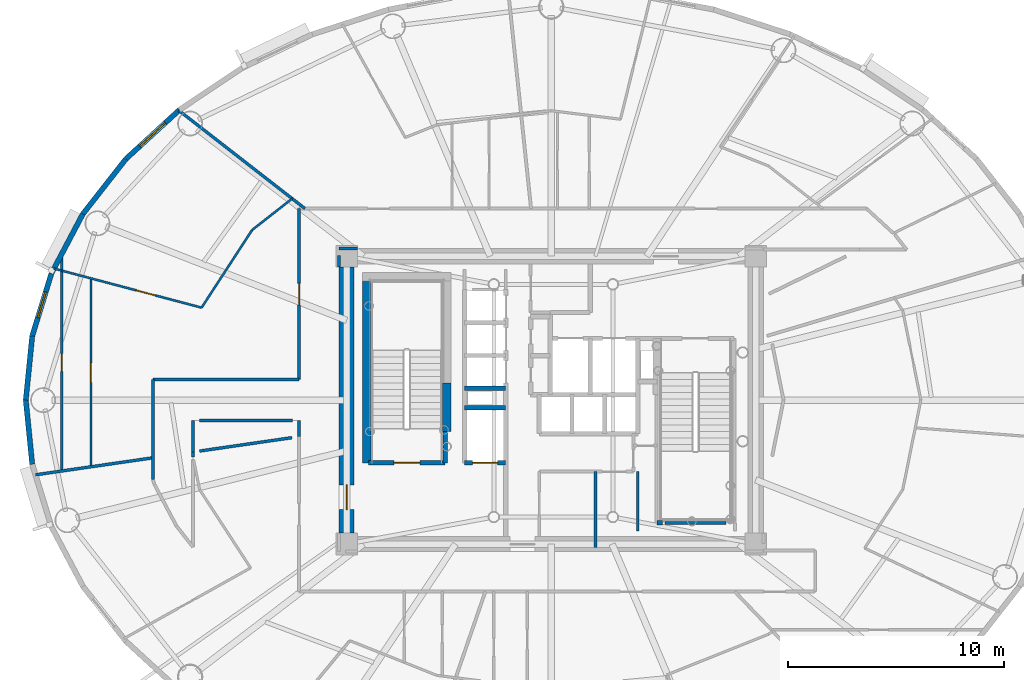
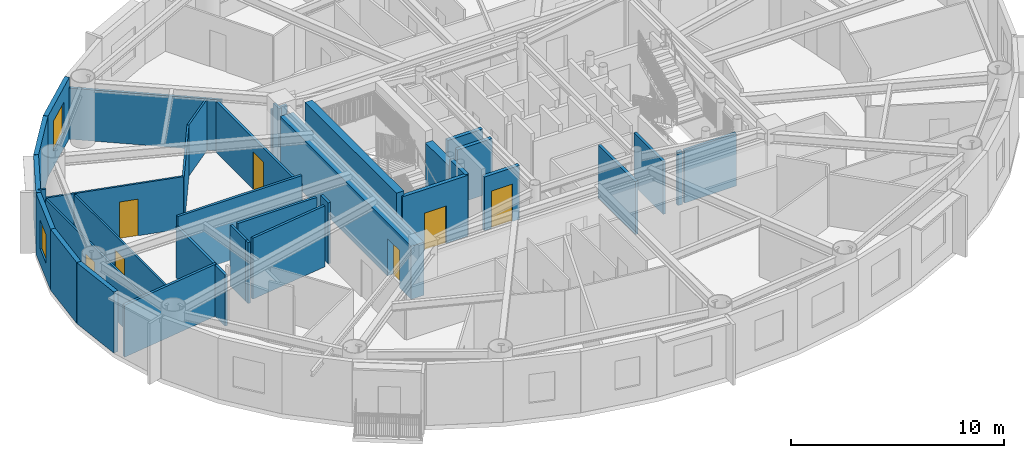
# One storey, part 8 of 19: 36 walls, 7 doors, 2 windows, 9 openings.
"""IFC4 building model written with IfcOpenShell, lengths in metres."""

from ifc_helpers import new_model, si_unit, direction, frame, frame_2d, origin, origin_2d, place, context, subcontext, project, spatial, rectangle, extrude, source, transform, mapped, material, layer, layer_set, type_object, element, fill, save


model = new_model("IFC4")

# Units and contexts
model_context = context("Model", 3, precision=1e-05, world=origin(), true_north=direction((0.0, 1.0)))
body_context = subcontext(model_context, "Body", "Model", "MODEL_VIEW")
ifc_project = project(units=[si_unit("LENGTHUNIT", "METRE"), si_unit("AREAUNIT", "SQUARE_METRE"), si_unit("VOLUMEUNIT", "CUBIC_METRE"), si_unit("PLANEANGLEUNIT", "RADIAN"), si_unit("MASSUNIT", "GRAM", prefix="KILO")], contexts=[model_context])

# Site, building, storey
site_placement = place(None, origin())
site = spatial("IfcSite", under=ifc_project, at=site_placement, CompositionType="ELEMENT")
building_placement = place(site_placement, origin())
building = spatial("IfcBuilding", under=site, at=building_placement, Name="Linh Dai School and Residence Tower", CompositionType="ELEMENT")
storey_placement = place(building_placement, frame((0.0, 0.0, 236.550048828125)))
storey = spatial("IfcBuildingStorey", under=building, at=storey_placement, Name="L58", CompositionType="ELEMENT", Elevation=236.550048828125)

# Wall, opening, window
ifc_material_1 = material(Name="Precast Concrete B45 (C35/45)", Category="concrete")
ifc_layer_1 = layer(ifc_material_1, 0.239990234375)
ifc_layer_set_1 = layer_set([ifc_layer_1], Name="Precast Concrete B45 (C35/45)")
wall_type_1 = type_object("IfcWallType", Name="EW-TC-240", PredefinedType="SOLIDWALL", material=ifc_layer_set_1)
wall_1_placement = place(storey_placement, frame((16.3515625, 38.14453125, 0.0), z_axis=(0.0, 0.0, 1.0), x_axis=(0.737123922599, 0.675757591694, 0.0)))
wall_1 = element("IfcWall", 1, at=wall_1_placement, inside=storey, type_object=wall_type_1, Name="L58 Terracotta Exterior Wall 16", PredefinedType="SOLIDWALL", context=body_context, shape_type="SweptSolid", body=[
    extrude(rectangle(XDim=3.353759765625, YDim=0.239990234375, at=frame_2d((1.6767578125, 0.0))), origin(), (0.0, 0.0, 1.0), 3.5),
])
opening_1_placement = place(wall_1_placement, frame((0.87255859375, 0.0, 0.89990234375)))
opening_1 = element("IfcOpeningElement", 2, at=opening_1_placement, cuts=wall_1, Name="Opening W2", PredefinedType="OPENING", context=body_context, shape_type="SweptSolid", body=[
    extrude(rectangle(XDim=1.60009765625, YDim=1.75, at=origin_2d()), frame((0.800048828125, 0.1298828125, 0.875), z_axis=(0.0, -1.0, 0.0), x_axis=(1.0, 0.0, 0.0)), (0.0, 0.0, 1.0), 0.260009765625),
])
ifc_material_2 = material(Name="Double Low-E Insulated Glazing", Category="glass")
window_type_1 = type_object("IfcWindowType", Name="WN-RES-1600x1750", PartitioningType="DOUBLE_PANEL_VERTICAL", PredefinedType="WINDOW", material=ifc_material_2)
shared_shape_1 = source(origin(), body_context, "Body", "SweptSolid", [
    extrude(rectangle(XDim=1.60009765625, YDim=1.75, at=origin_2d()), frame((0.800048828125, 0.030029296875, 0.875), z_axis=(0.0, -1.0, 0.0), x_axis=(1.0, 0.0, 0.0)), (0.0, 0.0, 1.0), 0.06005859375),
])
window_1_placement = place(opening_1_placement, origin())
window_1 = element("IfcWindow", 3, at=window_1_placement, inside=storey, type_object=window_type_1, Name="L58 Exterior Window 16.1", OverallHeight=1.75, OverallWidth=1.60009765625, PartitioningType="DOUBLE_PANEL_VERTICAL", PredefinedType="WINDOW", context=body_context, shape_type="MappedRepresentation", body=[
    mapped(shared_shape_1, transform((0.0, 0.0, 0.0), x_axis=(1.0, 0.0, 0.0), y_axis=(0.0, 1.0, 0.0), z_axis=(0.0, 0.0, 1.0), scale=1.0)),
])
fill(opening_1, window_1)

# Walls
wall_2_placement = place(storey_placement, frame((14.3642578125, 35.605224609375, 0.0), z_axis=(0.0, 0.0, 1.0), x_axis=(0.616312344705, 0.787501805562, 0.0)))
element("IfcWall", 4, at=wall_2_placement, inside=storey, type_object=wall_type_1, Name="L58 Terracotta Exterior Wall 17", PredefinedType="SOLIDWALL", context=body_context, shape_type="SweptSolid", body=[
    extrude(rectangle(XDim=3.224609375, YDim=0.239990234375, at=frame_2d((1.6123046875, 0.0))), origin(), (0.0, 0.0, 1.0), 3.5),
])
wall_3_placement = place(storey_placement, frame((12.90966796875, 32.85595703125, 0.0), z_axis=(0.0, 0.0, 1.0), x_axis=(0.46766049993, 0.883908172157, 0.0)))
element("IfcWall", 5, at=wall_3_placement, inside=storey, type_object=wall_type_1, Name="L58 Terracotta Exterior Wall 18", PredefinedType="SOLIDWALL", context=body_context, shape_type="SweptSolid", body=[
    extrude(rectangle(XDim=3.1103515625, YDim=0.239990234375, at=frame_2d((1.55517578125, 0.0))), origin(), (0.0, 0.0, 1.0), 3.5),
])

# Wall, opening, window
wall_4_placement = place(storey_placement, frame((12.02294921875, 29.9638671875, 0.0), z_axis=(0.0, 0.0, 1.0), x_axis=(0.293132907334, 0.95607170162, 0.0)))
wall_4 = element("IfcWall", 6, at=wall_4_placement, inside=storey, type_object=wall_type_1, Name="L58 Terracotta Exterior Wall 19", PredefinedType="SOLIDWALL", context=body_context, shape_type="SweptSolid", body=[
    extrude(rectangle(XDim=3.02490234375, YDim=0.239990234375, at=frame_2d((1.512451171875, 0.0))), origin(), (0.0, 0.0, 1.0), 3.5),
])
opening_2_placement = place(wall_4_placement, frame((0.887451171875, 0.0, 0.89990234375)))
opening_2 = element("IfcOpeningElement", 7, at=opening_2_placement, cuts=wall_4, Name="Opening W3", PredefinedType="OPENING", context=body_context, shape_type="SweptSolid", body=[
    extrude(rectangle(XDim=1.25, YDim=1.64990234375, at=origin_2d()), frame((0.625, 0.1298828125, 0.824951171875), z_axis=(0.0, -1.0, 0.0), x_axis=(1.0, 0.0, 0.0)), (0.0, 0.0, 1.0), 0.260009765625),
])
window_type_2 = type_object("IfcWindowType", Name="WN-RES-1250x1650", PartitioningType="SINGLE_PANEL", PredefinedType="WINDOW", material=ifc_material_2)
shared_shape_2 = source(origin(), body_context, "Body", "SweptSolid", [
    extrude(rectangle(XDim=1.25, YDim=1.64990234375, at=origin_2d()), frame((0.625, 0.030029296875, 0.824951171875), z_axis=(0.0, -1.0, 0.0), x_axis=(1.0, 0.0, 0.0)), (0.0, 0.0, 1.0), 0.06005859375),
])
window_2_placement = place(opening_2_placement, origin())
window_2 = element("IfcWindow", 8, at=window_2_placement, inside=storey, type_object=window_type_2, Name="L58 Exterior Window 19.1", OverallHeight=1.64990234375, OverallWidth=1.25, PartitioningType="SINGLE_PANEL", PredefinedType="WINDOW", context=body_context, shape_type="MappedRepresentation", body=[
    mapped(shared_shape_2, transform((0.0, 0.0, 0.0), x_axis=(1.0, 0.0, 0.0), y_axis=(0.0, 1.0, 0.0), z_axis=(0.0, 0.0, 1.0), scale=1.0)),
])
fill(opening_2, window_2)

# Walls
for number, where, z_axis, x_axis, name in (
    (9, (11.72509765625, 27.0, 0.0), (0.0, 0.0, 1.0), (0.099990595253, 0.994988382274, 0.0), "L58 Terracotta Exterior Wall 20"),
    (10, (12.02294921875, 24.0361328125, 0.0), (0.0, 0.0, 1.0), (-0.099990595253, 0.994988382274, 0.0), "L58 Terracotta Exterior Wall 21"),
):
    element("IfcWall", number, at=place(storey_placement, frame(where, z_axis=z_axis, x_axis=x_axis)), inside=storey, type_object=wall_type_1, Name=name, PredefinedType="SOLIDWALL", context=body_context, shape_type="SweptSolid", body=[
        extrude(rectangle(XDim=2.978759765625, YDim=0.239990234375, at=frame_2d((1.4892578125, 0.0))), origin(), (0.0, 0.0, 1.0), 3.5),
    ])
ifc_material_3 = material(Name="Autoclaved Aerated Concrete Blockwork", Category="masonry")
ifc_layer_2 = layer(ifc_material_3, 0.135009765625)
ifc_layer_set_2 = layer_set([ifc_layer_2], Name="Autoclaved Aerated Concrete Blockwork")
wall_type_2 = type_object("IfcWallType", Name="IW-CORR-135-EI90", PredefinedType="PARTITIONING", material=ifc_layer_set_2)
wall_5_placement = place(storey_placement, frame((12.16748046875, 23.5478515625, 0.0), z_axis=(0.0, 0.0, 1.0), x_axis=(0.989672764262, 0.143345106921, 0.0)))
element("IfcWall", 11, at=wall_5_placement, inside=storey, type_object=wall_type_2, Name="L58 Interior Partition Wall 001", PredefinedType="PARTITIONING", context=body_context, shape_type="SweptSolid", body=[
    extrude(rectangle(XDim=5.4892578125, YDim=0.135009765625, at=frame_2d((2.74462890625, 0.0))), origin(), (0.0, 0.0, 1.0), 2.98486328125),
])
wall_6_placement = place(storey_placement, frame((17.60009765625, 23.327880859375, 0.0), z_axis=(0.0, 0.0, 1.0), x_axis=(0.0, 1.0, 0.0)))
element("IfcWall", 12, at=wall_6_placement, inside=storey, type_object=wall_type_2, Name="L58 Interior Partition Wall 007", PredefinedType="PARTITIONING", context=body_context, shape_type="SweptSolid", body=[
    extrude(rectangle(XDim=4.6220703125, YDim=0.135009765625, at=frame_2d((2.31103515625, 0.0))), origin(), (0.0, 0.0, 1.0), 2.93505859375),
])
wall_7_placement = place(storey_placement, frame((17.60009765625, 27.949951171875, 0.0), z_axis=(0.0, 0.0, 1.0), x_axis=(1.0, 0.0, 0.0)))
element("IfcWall", 13, at=wall_7_placement, inside=storey, type_object=wall_type_2, Name="L58 Interior Partition Wall 009", PredefinedType="PARTITIONING", context=body_context, shape_type="SweptSolid", body=[
    extrude(rectangle(XDim=6.75, YDim=0.135009765625, at=frame_2d((3.375, 0.0))), origin(), (0.0, 0.0, 1.0), 3.5),
])
wall_8_placement = place(storey_placement, frame((18.79052734375, 40.38720703125, 0.0), z_axis=(0.0, 0.0, 1.0), x_axis=(0.789302404173, -0.614004653701, 0.0)))
element("IfcWall", 14, at=wall_8_placement, inside=storey, type_object=wall_type_2, Name="L58 Interior Partition Wall 012", PredefinedType="PARTITIONING", context=body_context, shape_type="SweptSolid", body=[
    extrude(rectangle(XDim=7.389892578125, YDim=0.135009765625, at=frame_2d((3.69482421875, 0.0))), origin(), (0.0, 0.0, 1.0), 2.93505859375),
])
wall_9_placement = place(storey_placement, frame((19.449951171875, 24.3798828125, 0.0), z_axis=(0.0, 0.0, 1.0), x_axis=(0.0, 1.0, 0.0)))
element("IfcWall", 15, at=wall_9_placement, inside=storey, type_object=wall_type_2, Name="L58 Interior Partition Wall 014", PredefinedType="PARTITIONING", context=body_context, shape_type="SweptSolid", body=[
    extrude(rectangle(XDim=0.222900390625, YDim=0.135009765625, at=frame_2d((0.111328125, 0.0))), origin(), (0.0, 0.0, 1.0), 3.5),
])

# Wall, opening, door
wall_10_placement = place(storey_placement, frame((24.35009765625, 27.949951171875, 0.0), z_axis=(0.0, 0.0, 1.0), x_axis=(0.0, 1.0, 0.0)))
wall_10 = element("IfcWall", 16, at=wall_10_placement, inside=storey, type_object=wall_type_2, Name="L58 Interior Partition Wall 022", PredefinedType="PARTITIONING", context=body_context, shape_type="SweptSolid", body=[
    extrude(rectangle(XDim=7.900146484375, YDim=0.135009765625, at=frame_2d((3.9501953125, 0.0))), origin(), (0.0, 0.0, 1.0), 2.93505859375),
])
opening_3_placement = place(wall_10_placement, frame((3.449951171875, 0.0, 0.0)))
opening_3 = element("IfcOpeningElement", 17, at=opening_3_placement, cuts=wall_10, Name="Opening D03", PredefinedType="OPENING", context=body_context, shape_type="SweptSolid", body=[
    extrude(rectangle(XDim=1.0, YDim=2.14990234375, at=origin_2d()), frame((0.5, 0.07763671875, 1.074951171875), z_axis=(0.0, -1.0, 0.0), x_axis=(1.0, 0.0, 0.0)), (0.0, 0.0, 1.0), 0.155029296875),
])
ifc_material_4 = material(Name="Fire-Rated Solid Timber Entrance Door", Category="wood")
door_type_1 = type_object("IfcDoorType", Name="DR-FLAT-1000x2150-FD60S", OperationType="NOTDEFINED", PredefinedType="DOOR", material=ifc_material_4)
shared_shape_3 = source(origin(), body_context, "Body", "SweptSolid", [
    extrude(rectangle(XDim=1.0, YDim=2.14990234375, at=origin_2d()), frame((0.5, 0.02490234375, 1.074951171875), z_axis=(0.0, -1.0, 0.0), x_axis=(1.0, 0.0, 0.0)), (0.0, 0.0, 1.0), 0.050048828125),
])
door_1_placement = place(opening_3_placement, origin())
door_1 = element("IfcDoor", 18, at=door_1_placement, inside=storey, type_object=door_type_1, Name="L58 U5802 Apartment Entrance Door", OperationType="SINGLE_SWING_RIGHT", OverallHeight=2.14990234375, OverallWidth=1.0, PredefinedType="DOOR", context=body_context, shape_type="MappedRepresentation", body=[
    mapped(shared_shape_3, transform((0.0, 0.0, 0.0), x_axis=(1.0, 0.0, 0.0), y_axis=(0.0, 1.0, 0.0), z_axis=(0.0, 0.0, 1.0), scale=1.0)),
])
fill(opening_3, door_1)

# Walls
wall_11_placement = place(storey_placement, frame((44.080078125, 21.330078125, 0.0), z_axis=(0.0, 0.0, 1.0), x_axis=(-1.0, 0.0, 0.0)))
element("IfcWall", 19, at=wall_11_placement, inside=storey, type_object=wall_type_2, Name="L58 Interior Partition Wall 101", PredefinedType="PARTITIONING", context=body_context, shape_type="SweptSolid", body=[
    extrude(rectangle(XDim=2.820068359375, YDim=0.135009765625, at=frame_2d((1.41015625, 0.0))), origin(), (0.0, 0.0, 1.0), 3.034912109375),
])
wall_12_placement = place(storey_placement, frame((40.0, 23.699951171875, 0.0), z_axis=(0.0, 0.0, 1.0), x_axis=(0.0, -1.0, 0.0)))
element("IfcWall", 20, at=wall_12_placement, inside=storey, type_object=wall_type_2, Name="L58 Interior Partition Wall 103", PredefinedType="PARTITIONING", context=body_context, shape_type="SweptSolid", body=[
    extrude(rectangle(XDim=2.739990234375, YDim=0.135009765625, at=frame_2d((1.3701171875, 0.0))), origin(), (0.0, 0.0, 1.0), 3.034912109375),
])
wall_13_placement = place(storey_placement, frame((19.449951171875, 26.050048828125, 0.0), z_axis=(0.0, 0.0, 1.0), x_axis=(0.0, -1.0, 0.0)))
element("IfcWall", 21, at=wall_13_placement, inside=storey, type_object=wall_type_2, Name="L58 Interior Partition Wall 107", PredefinedType="PARTITIONING", context=body_context, shape_type="SweptSolid", body=[
    extrude(rectangle(XDim=1.437255859375, YDim=0.135009765625, at=frame_2d((0.71875, 0.0))), origin(), (0.0, 0.0, 1.0), 3.5),
])
wall_14_placement = place(storey_placement, frame((27.0400390625, 34.0, 0.0), z_axis=(0.0, 0.0, 1.0), x_axis=(-1.0, 0.0, 0.0)))
element("IfcWall", 22, at=wall_14_placement, inside=storey, type_object=wall_type_2, Name="L58 Interior Partition Wall 110", PredefinedType="PARTITIONING", context=body_context, shape_type="SweptSolid", body=[
    extrude(rectangle(XDim=0.840087890625, YDim=0.135009765625, at=frame_2d((0.419921875, 0.0))), origin(), (0.0, 0.0, 1.0), 2.93505859375),
])
wall_15_placement = place(storey_placement, frame((26.199951171875, 33.6923828125, 0.0), z_axis=(0.0, 0.0, 1.0), x_axis=(0.0, -1.0, 0.0)))
element("IfcWall", 23, at=wall_15_placement, inside=storey, type_object=wall_type_2, Name="L58 Interior Partition Wall 111", PredefinedType="PARTITIONING", context=body_context, shape_type="SweptSolid", body=[
    extrude(rectangle(XDim=0.532470703125, YDim=0.135009765625, at=frame_2d((0.26611328125, 0.0))), origin(), (0.0, 0.0, 1.0), 3.5),
])
wall_16_placement = place(storey_placement, frame((24.35009765625, 25.322509765625, 0.0), z_axis=(0.0, 0.0, 1.0), x_axis=(0.0, 1.0, 0.0)))
element("IfcWall", 24, at=wall_16_placement, inside=storey, type_object=wall_type_2, Name="L58 Interior Partition Wall 115", PredefinedType="PARTITIONING", context=body_context, shape_type="SweptSolid", body=[
    extrude(rectangle(XDim=0.7275390625, YDim=0.135009765625, at=frame_2d((0.36376953125, 0.0))), origin(), (0.0, 0.0, 1.0), 3.5),
])
wall_17_placement = place(storey_placement, frame((24.04248046875, 26.050048828125, 0.0), z_axis=(0.0, 0.0, 1.0), x_axis=(-1.0, 0.0, 0.0)))
element("IfcWall", 25, at=wall_17_placement, inside=storey, type_object=wall_type_2, Name="L58 Interior Partition Wall 116", PredefinedType="PARTITIONING", context=body_context, shape_type="SweptSolid", body=[
    extrude(rectangle(XDim=4.284912109375, YDim=0.135009765625, at=frame_2d((2.142578125, 0.0))), origin(), (0.0, 0.0, 1.0), 3.5),
])
wall_18_placement = place(storey_placement, frame((19.757568359375, 24.647216796875, 0.0), z_axis=(0.0, 0.0, 1.0), x_axis=(0.989666541967, 0.143388059861, 0.0)))
element("IfcWall", 26, at=wall_18_placement, inside=storey, type_object=wall_type_2, Name="L58 Interior Partition Wall 117", PredefinedType="PARTITIONING", context=body_context, shape_type="SweptSolid", body=[
    extrude(rectangle(XDim=4.309326171875, YDim=0.135009765625, at=frame_2d((2.15478515625, 0.0))), origin(), (0.0, 0.0, 1.0), 3.5),
])
ifc_layer_3 = layer(ifc_material_3, 0.14990234375)
ifc_layer_set_3 = layer_set([ifc_layer_3], Name="Autoclaved Aerated Concrete Blockwork")
wall_type_3 = type_object("IfcWallType", Name="IW-SCH-150-EI60", PredefinedType="PARTITIONING", material=ifc_layer_set_3)
wall_19_placement = place(storey_placement, frame((38.050048828125, 20.179931640625, 0.0), z_axis=(0.0, 0.0, 1.0), x_axis=(0.0, 1.0, 0.0)))
element("IfcWall", 27, at=wall_19_placement, inside=storey, type_object=wall_type_3, Name="L58 Interior Partition Wall 067", PredefinedType="PARTITIONING", context=body_context, shape_type="SweptSolid", body=[
    extrude(rectangle(XDim=3.52001953125, YDim=0.14990234375, at=frame_2d((1.760009765625, 0.0))), origin(), (0.0, 0.0, 1.0), 3.034912109375),
])

# Wall, opening, door
ifc_material_5 = material(Name="Concrete B45 (C35/45)", Category="concrete")
ifc_layer_4 = layer(ifc_material_5, 0.199951171875)
ifc_layer_set_4 = layer_set([ifc_layer_4], Name="Concrete B45 (C35/45)")
wall_type_4 = type_object("IfcWallType", Name="IW-SHAFT-200-EI120", PredefinedType="PARTITIONING", material=ifc_layer_set_4)
wall_20_placement = place(storey_placement, frame((27.56005859375, 24.10009765625, 0.0), z_axis=(0.0, 0.0, 1.0), x_axis=(1.0, 0.0, 0.0)))
wall_20 = element("IfcWall", 28, at=wall_20_placement, inside=storey, type_object=wall_type_4, Name="L58 Interior Partition Wall 026", PredefinedType="PARTITIONING", context=body_context, shape_type="SweptSolid", body=[
    extrude(rectangle(XDim=3.5400390625, YDim=0.199951171875, at=frame_2d((1.77001953125, 0.0))), origin(), (0.0, 0.0, 1.0), 3.5),
])
opening_4_placement = place(wall_20_placement, frame((1.169921875, 0.0, 0.0)))
opening_4 = element("IfcOpeningElement", 29, at=opening_4_placement, cuts=wall_20, Name="Opening D01", PredefinedType="OPENING", context=body_context, shape_type="SweptSolid", body=[
    extrude(rectangle(XDim=1.199951171875, YDim=2.14990234375, at=origin_2d()), frame((0.60009765625, 0.10986328125, 1.074951171875), z_axis=(0.0, -1.0, 0.0), x_axis=(1.0, 0.0, 0.0)), (0.0, 0.0, 1.0), 0.219970703125),
])
ifc_material_6 = material(Name="Fire-Rated Steel Door Leaf", Category="steel")
door_type_2 = type_object("IfcDoorType", Name="DR-STAIR-1200x2150-FD90S", OperationType="NOTDEFINED", PredefinedType="DOOR", material=ifc_material_6)
shared_shape_4 = source(origin(), body_context, "Body", "SweptSolid", [
    extrude(rectangle(XDim=1.199951171875, YDim=2.14990234375, at=origin_2d()), frame((0.60009765625, 0.02490234375, 1.074951171875), z_axis=(0.0, -1.0, 0.0), x_axis=(1.0, 0.0, 0.0)), (0.0, 0.0, 1.0), 0.050048828125),
])
door_2_placement = place(opening_4_placement, origin())
door_2 = element("IfcDoor", 30, at=door_2_placement, inside=storey, type_object=door_type_2, Name="L58 Core Smokeproof Exit Stair ST1 Door", OperationType="SINGLE_SWING_RIGHT", OverallHeight=2.14990234375, OverallWidth=1.199951171875, PredefinedType="DOOR", context=body_context, shape_type="MappedRepresentation", body=[
    mapped(shared_shape_4, transform((0.0, 0.0, 0.0), x_axis=(1.0, 0.0, 0.0), y_axis=(0.0, 1.0, 0.0), z_axis=(0.0, 0.0, 1.0), scale=1.0)),
])
fill(opening_4, door_2)

# Wall
wall_21_placement = place(storey_placement, frame((31.10009765625, 24.10009765625, 0.0), z_axis=(0.0, 0.0, 1.0), x_axis=(0.0, 1.0, 0.0)))
element("IfcWall", 31, at=wall_21_placement, inside=storey, type_object=wall_type_4, Name="L58 Interior Partition Wall 033", PredefinedType="PARTITIONING", context=body_context, shape_type="SweptSolid", body=[
    extrude(rectangle(XDim=1.43994140625, YDim=0.199951171875, at=frame_2d((0.719970703125, 0.0))), origin(), (0.0, 0.0, 1.0), 3.5),
])

# Wall, opening, door
wall_22_placement = place(storey_placement, frame((32.0, 24.10009765625, 0.0), z_axis=(0.0, 0.0, 1.0), x_axis=(1.0, 0.0, 0.0)))
wall_22 = element("IfcWall", 32, at=wall_22_placement, inside=storey, type_object=wall_type_4, Name="L58 Interior Partition Wall 036", PredefinedType="PARTITIONING", context=body_context, shape_type="SweptSolid", body=[
    extrude(rectangle(XDim=1.89990234375, YDim=0.199951171875, at=frame_2d((0.949951171875, 0.0))), origin(), (0.0, 0.0, 1.0), 3.0849609375),
])
opening_5_placement = place(wall_22_placement, frame((0.375, 0.0, 0.0)))
opening_5 = element("IfcOpeningElement", 33, at=opening_5_placement, cuts=wall_22, Name="Opening LD-FF2", PredefinedType="OPENING", context=body_context, shape_type="SweptSolid", body=[
    extrude(rectangle(XDim=1.14990234375, YDim=2.14990234375, at=origin_2d()), frame((0.574951171875, 0.10986328125, 1.074951171875), z_axis=(0.0, -1.0, 0.0), x_axis=(1.0, 0.0, 0.0)), (0.0, 0.0, 1.0), 0.219970703125),
])
ifc_material_7 = material(Name="Fire-Rated Stainless Steel Firefighting Lift Door", Category="steel")
door_type_3 = type_object("IfcDoorType", Name="DR-LD-FF-1150x2150-FD120", OperationType="DOUBLE_DOOR_SLIDING", PredefinedType="USERDEFINED", material=ifc_material_7)
shared_shape_5 = source(origin(), body_context, "Body", "SweptSolid", [
    extrude(rectangle(XDim=1.14990234375, YDim=2.14990234375, at=origin_2d()), frame((0.574951171875, 0.02490234375, 1.074951171875), z_axis=(0.0, -1.0, 0.0), x_axis=(1.0, 0.0, 0.0)), (0.0, 0.0, 1.0), 0.050048828125),
])
door_3_placement = place(opening_5_placement, origin())
door_3 = element("IfcDoor", 34, at=door_3_placement, inside=storey, type_object=door_type_3, Name="L58 Lift FF2 Sliding Landing Door", ObjectType="LANDING DOOR", OperationType="DOUBLE_DOOR_SLIDING", OverallHeight=2.14990234375, OverallWidth=1.14990234375, PredefinedType="USERDEFINED", context=body_context, shape_type="MappedRepresentation", body=[
    mapped(shared_shape_5, transform((0.0, 0.0, 0.0), x_axis=(1.0, 0.0, 0.0), y_axis=(0.0, 1.0, 0.0), z_axis=(0.0, 0.0, 1.0), scale=1.0)),
])
fill(opening_5, door_3)

# Walls
for number, where, z_axis, x_axis, name in (
    (35, (32.0, 26.64990234375, 0.0), (0.0, 0.0, 1.0), (1.0, 0.0, 0.0), "L58 Interior Partition Wall 037"),
    (36, (32.0, 27.550048828125, 0.0), (0.0, 0.0, 1.0), (1.0, 0.0, 0.0), "L58 Interior Partition Wall 038"),
):
    element("IfcWall", number, at=place(storey_placement, frame(where, z_axis=z_axis, x_axis=x_axis)), inside=storey, type_object=wall_type_4, Name=name, PredefinedType="PARTITIONING", context=body_context, shape_type="SweptSolid", body=[
        extrude(rectangle(XDim=1.89990234375, YDim=0.199951171875, at=frame_2d((0.949951171875, 0.0))), origin(), (0.0, 0.0, 1.0), 3.0849609375),
    ])
wall_23_placement = place(storey_placement, frame((40.89990234375, 21.330078125, 0.0), z_axis=(0.0, 0.0, 1.0), x_axis=(1.0, 0.0, 0.0)))
element("IfcWall", 37, at=wall_23_placement, inside=storey, type_object=wall_type_4, Name="L58 Interior Partition Wall 075", PredefinedType="PARTITIONING", context=body_context, shape_type="SweptSolid", body=[
    extrude(rectangle(XDim=0.25, YDim=0.199951171875, at=frame_2d((0.125, 0.0))), origin(), (0.0, 0.0, 1.0), 3.034912109375),
])
ifc_material_8 = material(Name="Gypsum Plasterboard Acoustic Stud Partition", Category="masonry")
ifc_layer_5 = layer(ifc_material_8, 0.10009765625)
ifc_layer_set_5 = layer_set([ifc_layer_5], Name="Gypsum Plasterboard Acoustic Stud Partition")
wall_type_5 = type_object("IfcWallType", Name="IW-UNIT-100", PredefinedType="PARTITIONING", material=ifc_layer_set_5)
wall_24_placement = place(storey_placement, frame((13.02197265625, 33.078857421875, 0.0), z_axis=(0.0, 0.0, 1.0), x_axis=(0.966904841433, -0.255137272097, 0.0)))
element("IfcWall", 38, at=wall_24_placement, inside=storey, type_object=wall_type_5, Name="L58 Interior Partition Wall 002", PredefinedType="PARTITIONING", context=body_context, shape_type="SweptSolid", body=[
    extrude(rectangle(XDim=0.373291015625, YDim=0.10009765625, at=frame_2d((0.1865234375, 0.0))), origin(), (0.0, 0.0, 1.0), 3.5),
])

# Wall, opening, door
wall_25_placement = place(storey_placement, frame((13.392333984375, 32.98095703125, 0.0), z_axis=(0.0, 0.0, 1.0), x_axis=(0.966739802164, -0.255761910595, 0.0)))
wall_25 = element("IfcWall", 39, at=wall_25_placement, inside=storey, type_object=wall_type_5, Name="L58 Interior Partition Wall 003", PredefinedType="PARTITIONING", context=body_context, shape_type="SweptSolid", body=[
    extrude(rectangle(XDim=6.67724609375, YDim=0.10009765625, at=frame_2d((3.338623046875, 0.0))), origin(), (0.0, 0.0, 1.0), 2.98486328125),
])
opening_6_placement = place(wall_25_placement, frame((3.561279296875, 0.0, 0.0)))
opening_6 = element("IfcOpeningElement", 40, at=opening_6_placement, cuts=wall_25, Name="Opening D05", PredefinedType="OPENING", context=body_context, shape_type="SweptSolid", body=[
    extrude(rectangle(XDim=0.89990234375, YDim=2.10009765625, at=origin_2d()), frame((0.449951171875, 0.06005859375, 1.050048828125), z_axis=(0.0, -1.0, 0.0), x_axis=(1.0, 0.0, 0.0)), (0.0, 0.0, 1.0), 0.1201171875),
])
ifc_material_9 = material(Name="Engineered Timber Internal Door", Category="wood")
door_type_4 = type_object("IfcDoorType", Name="DR-INT-900x2100", OperationType="NOTDEFINED", PredefinedType="DOOR", material=ifc_material_9)
shared_shape_6 = source(origin(), body_context, "Body", "SweptSolid", [
    extrude(rectangle(XDim=0.89990234375, YDim=2.10009765625, at=origin_2d()), frame((0.449951171875, 0.02490234375, 1.050048828125), z_axis=(0.0, -1.0, 0.0), x_axis=(1.0, 0.0, 0.0)), (0.0, 0.0, 1.0), 0.050048828125),
])
door_4_placement = place(opening_6_placement, origin())
door_4 = element("IfcDoor", 41, at=door_4_placement, inside=storey, type_object=door_type_4, Name="L58 Apartment U5802 Principal Bedroom 1 Door", OperationType="SINGLE_SWING_LEFT", OverallHeight=2.10009765625, OverallWidth=0.89990234375, PredefinedType="DOOR", context=body_context, shape_type="MappedRepresentation", body=[
    mapped(shared_shape_6, transform((0.0, 0.0, 0.0), x_axis=(1.0, 0.0, 0.0), y_axis=(0.0, 1.0, 0.0), z_axis=(0.0, 0.0, 1.0), scale=1.0)),
])
fill(opening_6, door_4)

wall_26_placement = place(storey_placement, frame((13.3828125, 23.723876953125, 0.0), z_axis=(0.0, 0.0, 1.0), x_axis=(0.0, 1.0, 0.0)))
wall_26 = element("IfcWall", 42, at=wall_26_placement, inside=storey, type_object=wall_type_5, Name="L58 Interior Partition Wall 004", PredefinedType="PARTITIONING", context=body_context, shape_type="SweptSolid", body=[
    extrude(rectangle(XDim=10.036865234375, YDim=0.10009765625, at=frame_2d((5.0185546875, 0.0))), origin(), (0.0, 0.0, 1.0), 2.93505859375),
])
opening_7_placement = place(wall_26_placement, frame((4.6083984375, 0.0, 0.0)))
opening_7 = element("IfcOpeningElement", 43, at=opening_7_placement, cuts=wall_26, Name="Opening D06", PredefinedType="OPENING", context=body_context, shape_type="SweptSolid", body=[
    extrude(rectangle(XDim=0.820068359375, YDim=2.10009765625, at=origin_2d()), frame((0.41015625, 0.06005859375, 1.050048828125), z_axis=(0.0, -1.0, 0.0), x_axis=(1.0, 0.0, 0.0)), (0.0, 0.0, 1.0), 0.1201171875),
])
ifc_material_10 = material(Name="Moisture-Resistant Timber Bathroom Door", Category="wood")
door_type_5 = type_object("IfcDoorType", Name="DR-WET-820x2100", OperationType="NOTDEFINED", PredefinedType="DOOR", material=ifc_material_10)
shared_shape_7 = source(origin(), body_context, "Body", "SweptSolid", [
    extrude(rectangle(XDim=0.820068359375, YDim=2.10009765625, at=origin_2d()), frame((0.41015625, 0.02490234375, 1.050048828125), z_axis=(0.0, -1.0, 0.0), x_axis=(1.0, 0.0, 0.0)), (0.0, 0.0, 1.0), 0.050048828125),
])
door_5_placement = place(opening_7_placement, origin())
door_5 = element("IfcDoor", 44, at=door_5_placement, inside=storey, type_object=door_type_5, Name="L58 Apartment U5802 Bathroom 1 Door", OperationType="SINGLE_SWING_LEFT", OverallHeight=2.10009765625, OverallWidth=0.820068359375, PredefinedType="DOOR", context=body_context, shape_type="MappedRepresentation", body=[
    mapped(shared_shape_7, transform((0.0, 0.0, 0.0), x_axis=(1.0, 0.0, 0.0), y_axis=(0.0, 1.0, 0.0), z_axis=(0.0, 0.0, 1.0), scale=1.0)),
])
fill(opening_7, door_5)

wall_27_placement = place(storey_placement, frame((14.731689453125, 23.919189453125, 0.0), z_axis=(0.0, 0.0, 1.0), x_axis=(0.0, 1.0, 0.0)))
wall_27 = element("IfcWall", 45, at=wall_27_placement, inside=storey, type_object=wall_type_5, Name="L58 Interior Partition Wall 005", PredefinedType="PARTITIONING", context=body_context, shape_type="SweptSolid", body=[
    extrude(rectangle(XDim=8.70751953125, YDim=0.10009765625, at=frame_2d((4.353759765625, 0.0))), origin(), (0.0, 0.0, 1.0), 2.93505859375),
])
opening_8_placement = place(wall_27_placement, frame((3.90380859375, 0.0, 0.0)))
opening_8 = element("IfcOpeningElement", 46, at=opening_8_placement, cuts=wall_27, Name="Opening D05", PredefinedType="OPENING", context=body_context, shape_type="SweptSolid", body=[
    extrude(rectangle(XDim=0.89990234375, YDim=2.10009765625, at=origin_2d()), frame((0.449951171875, 0.06005859375, 1.050048828125), z_axis=(0.0, -1.0, 0.0), x_axis=(1.0, 0.0, 0.0)), (0.0, 0.0, 1.0), 0.1201171875),
])
door_6_placement = place(opening_8_placement, origin())
door_6 = element("IfcDoor", 47, at=door_6_placement, inside=storey, type_object=door_type_4, Name="L58 Apartment U5802 Kitchen Door", OperationType="SINGLE_SWING_RIGHT", OverallHeight=2.10009765625, OverallWidth=0.89990234375, PredefinedType="DOOR", context=body_context, shape_type="MappedRepresentation", body=[
    mapped(shared_shape_6, transform((0.0, 0.0, 0.0), x_axis=(1.0, 0.0, 0.0), y_axis=(0.0, 1.0, 0.0), z_axis=(0.0, 0.0, 1.0), scale=1.0)),
])
fill(opening_8, door_6)

# Walls
wall_28_placement = place(storey_placement, frame((19.847412109375, 31.273193359375, 0.0), z_axis=(0.0, 0.0, 1.0), x_axis=(0.545399280946, 0.83817636828, 0.0)))
element("IfcWall", 48, at=wall_28_placement, inside=storey, type_object=wall_type_5, Name="L58 Interior Partition Wall 017", PredefinedType="PARTITIONING", context=body_context, shape_type="SweptSolid", body=[
    extrude(rectangle(XDim=4.2802734375, YDim=0.10009765625, at=frame_2d((2.14013671875, 0.0))), origin(), (0.0, 0.0, 1.0), 2.93505859375),
])
wall_29_placement = place(storey_placement, frame((22.181884765625, 34.86083984375, 0.0), z_axis=(0.0, 0.0, 1.0), x_axis=(0.78737344739, 0.616476320994, 0.0)))
element("IfcWall", 49, at=wall_29_placement, inside=storey, type_object=wall_type_5, Name="L58 Interior Partition Wall 018", PredefinedType="PARTITIONING", context=body_context, shape_type="SweptSolid", body=[
    extrude(rectangle(XDim=2.35009765625, YDim=0.10009765625, at=frame_2d((1.175048828125, 0.0))), origin(), (0.0, 0.0, 1.0), 2.93505859375),
])
ifc_layer_6 = layer(ifc_material_5, 0.39990234375)
ifc_layer_set_6 = layer_set([ifc_layer_6], Name="Concrete B45 (C35/45)")
wall_type_6 = type_object("IfcWallType", Name="WL-CORE400", PredefinedType="SHEAR", material=ifc_layer_set_6)
wall_30_placement = place(storey_placement, frame((27.47998046875, 24.10009765625, 0.0), z_axis=(0.0, 0.0, 1.0), x_axis=(0.0, 1.0, 0.0)))
element("IfcWall", 50, at=wall_30_placement, inside=storey, type_object=wall_type_6, Name="L58 Core Stair ST1 Bearing Wall W", PredefinedType="SHEAR", context=body_context, shape_type="SweptSolid", body=[
    extrude(rectangle(XDim=8.599853515625, YDim=0.39990234375, at=frame_2d((4.2998046875, 0.0))), origin(), (0.0, 0.0, 1.0), 3.75),
])
wall_31_placement = place(storey_placement, frame((31.179931640625, 25.550048828125, 0.0), z_axis=(0.0, 0.0, 1.0), x_axis=(0.0, 1.0, 0.0)))
element("IfcWall", 51, at=wall_31_placement, inside=storey, type_object=wall_type_6, Name="L58 Internal Core Shear Wall IW", PredefinedType="SHEAR", context=body_context, shape_type="SweptSolid", body=[
    extrude(rectangle(XDim=2.25, YDim=0.39990234375, at=frame_2d((1.125, 0.0))), origin(), (0.0, 0.0, 1.0), 3.099853515625),
])

# Wall, opening, door
ifc_layer_7 = layer(ifc_material_5, 0.699951171875)
ifc_layer_set_7 = layer_set([ifc_layer_7], Name="Concrete B45 (C35/45)")
wall_type_7 = type_object("IfcWallType", Name="WL-CORE700", PredefinedType="SHEAR", material=ifc_layer_set_7)
wall_32_placement = place(storey_placement, frame((26.550048828125, 20.85009765625, 0.0), z_axis=(0.0, 0.0, 1.0), x_axis=(0.0, 1.0, 0.0)))
wall_32 = element("IfcWall", 52, at=wall_32_placement, inside=storey, type_object=wall_type_7, Name="L58 Central Core Shear Wall W", PredefinedType="SHEAR", context=body_context, shape_type="SweptSolid", body=[
    extrude(rectangle(XDim=12.2998046875, YDim=0.699951171875, at=frame_2d((6.14990234375, 0.0))), origin(), (0.0, 0.0, 1.0), 3.050048828125),
])
opening_9_placement = place(wall_32_placement, frame((1.085205078125, 0.0, 0.0)))
opening_9 = element("IfcOpeningElement", 53, at=opening_9_placement, cuts=wall_32, Name="Opening D02", PredefinedType="OPENING", context=body_context, shape_type="SweptSolid", body=[
    extrude(rectangle(XDim=1.14990234375, YDim=2.14990234375, at=origin_2d()), frame((0.574951171875, 0.35986328125, 1.074951171875), z_axis=(0.0, -1.0, 0.0), x_axis=(1.0, 0.0, 0.0)), (0.0, 0.0, 1.0), 0.719970703125),
])
ifc_material_11 = material(Name="Fire-Rated Glazed Steel Lobby Door", Category="steel")
door_type_6 = type_object("IfcDoorType", Name="DR-LOBBY-1150x2150-FD90S", OperationType="NOTDEFINED", PredefinedType="DOOR", material=ifc_material_11)
shared_shape_8 = source(origin(), body_context, "Body", "SweptSolid", [
    extrude(rectangle(XDim=1.14990234375, YDim=2.14990234375, at=origin_2d()), frame((0.574951171875, 0.02490234375, 1.074951171875), z_axis=(0.0, -1.0, 0.0), x_axis=(1.0, 0.0, 0.0)), (0.0, 0.0, 1.0), 0.050048828125),
])
door_7_placement = place(opening_9_placement, origin())
door_7 = element("IfcDoor", 54, at=door_7_placement, inside=storey, type_object=door_type_6, Name="L58 Firefighting Lobby Door", OperationType="SINGLE_SWING_LEFT", OverallHeight=2.14990234375, OverallWidth=1.14990234375, PredefinedType="DOOR", context=body_context, shape_type="MappedRepresentation", body=[
    mapped(shared_shape_8, transform((0.0, 0.0, 0.0), x_axis=(1.0, 0.0, 0.0), y_axis=(0.0, 1.0, 0.0), z_axis=(0.0, 0.0, 1.0), scale=1.0)),
])
fill(opening_9, door_7)

save(model, "model.ifc")
